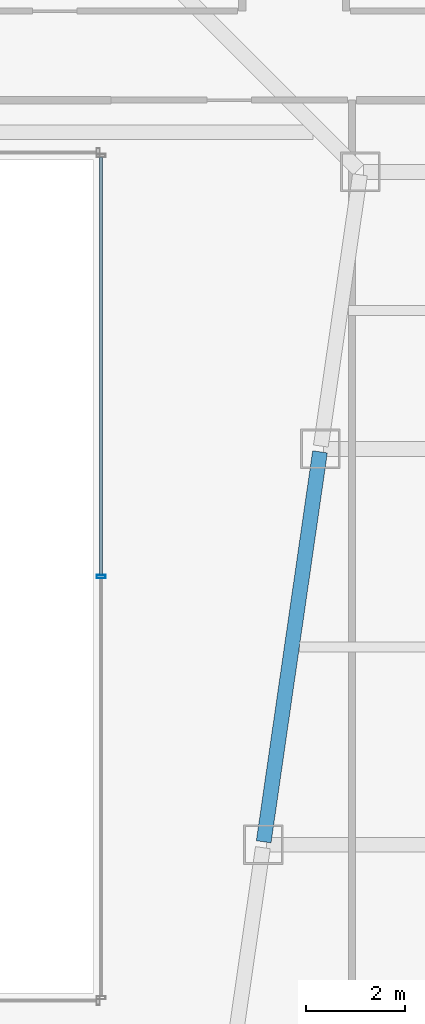
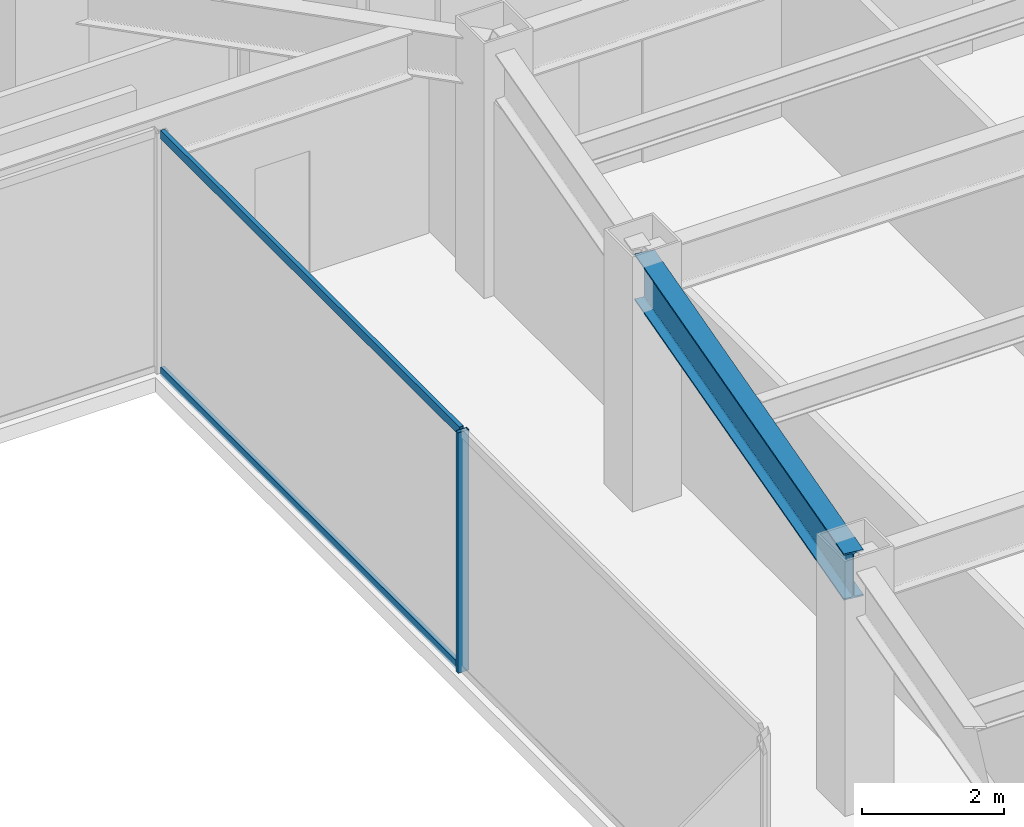
# One storey, part 20 of 47: 3 members, 1 beam, 1 element without a shape of its own.
"""IFC4 building model written with IfcOpenShell, lengths in metres."""

from ifc_helpers import new_model, si_unit, direction, frame, origin, origin_2d, place, context, subcontext, project, spatial, hollow_rectangle, i_section, extrude, material, material_profile, profile_set, type_object, element, aggregate, save


model = new_model("IFC4")

# Units and contexts
model_context = context("Model", 3, precision=1e-05, world=origin(), true_north=direction((0.0, 1.0)))
body_context = subcontext(model_context, "Body", "Model", "MODEL_VIEW")
ifc_project = project(units=[si_unit("LENGTHUNIT", "METRE"), si_unit("AREAUNIT", "SQUARE_METRE"), si_unit("VOLUMEUNIT", "CUBIC_METRE"), si_unit("PLANEANGLEUNIT", "RADIAN"), si_unit("MASSUNIT", "GRAM", prefix="KILO")], contexts=[model_context])

# Site, building, storey
site_placement = place(None, origin())
site = spatial("IfcSite", under=ifc_project, at=site_placement, CompositionType="ELEMENT")
building_placement = place(site_placement, origin())
building = spatial("IfcBuilding", under=site, at=building_placement, Name="Saevonmaru Cultural Tower", CompositionType="ELEMENT")
storey_placement = place(building_placement, frame((0.0, 0.0, 69.199951171875)))
storey = spatial("IfcBuildingStorey", under=building, at=storey_placement, Name="L14", CompositionType="ELEMENT", Elevation=69.199951171875)

# Beam
ifc_material_1 = material(Name="Steel SM420", Category="steel")
ifc_material_profile_1 = material_profile(ifc_material_1, i_section(OverallWidth=0.300048828125, OverallDepth=0.800048828125, WebThickness=0.013916015625, FlangeThickness=0.02587890625, FilletRadius=0.028076171875, at=origin_2d()), Name="H-800x300x14x26")
ifc_profile_set_1 = profile_set([ifc_material_profile_1], Name="Steel SM420")
beam_type = type_object("IfcBeamType", Name="BM-G-H800", PredefinedType="BEAM", material=ifc_profile_set_1)
beam_placement = place(storey_placement, frame((39.236572265625, 24.059326171875, 3.75), z_axis=(0.142902032203, 0.989736838353, 0.0), x_axis=(-0.989736838353, 0.142902032203, 0.0)))
element("IfcBeam", 1, at=beam_placement, inside=storey, type_object=beam_type, Name="L14 East Atrium Girder 4", PredefinedType="BEAM", context=body_context, shape_type="SweptSolid", body=[
    extrude(i_section(OverallWidth=0.300048828125, OverallDepth=0.800048828125, WebThickness=0.013916015625, FlangeThickness=0.02587890625, FilletRadius=0.028076171875, at=origin_2d()), origin(), (0.0, 0.0, 1.0), 7.963134765625),
])

# Curtain wall, members
ifc_material_2 = material(Name="Satin Bronze Anodised Aluminium", Category="aluminium")
curtain_wall_type = type_object("IfcCurtainWallType", Name="CW-ATR-GLZ", PredefinedType="NOTDEFINED", material=ifc_material_2)
curtain_wall_placement = place(storey_placement, origin())
curtain_wall = element("IfcCurtainWall", 2, at=curtain_wall_placement, inside=storey, type_object=curtain_wall_type, Name="L14 Vertical Atrium Glazed Smoke Screen 2", PredefinedType="NOTDEFINED")
ifc_material_profile_2 = material_profile(ifc_material_2, hollow_rectangle(XDim=0.06494140625, YDim=0.179931640625, WallThickness=0.00390625, at=origin_2d()), Name="ALU-MULL-180x65x4")
ifc_profile_set_2 = profile_set([ifc_material_profile_2], Name="Satin Bronze Anodised Aluminium")
member_type_1 = type_object("IfcMemberType", Name="ML-CW-INT-180x65", PredefinedType="MULLION", material=ifc_profile_set_2)
member_1_placement = place(storey_placement, frame((35.949951171875, 29.419921875, 0.0), z_axis=(0.0, 0.0, 1.0), x_axis=(0.0, 1.0, 0.0)))
member_1 = element("IfcMember", 3, at=member_1_placement, type_object=member_type_1, Name="CW-ATR-L14-2 mullion 2", PredefinedType="MULLION", context=body_context, shape_type="SweptSolid", body=[
    extrude(hollow_rectangle(XDim=0.06494140625, YDim=0.179931640625, WallThickness=0.00390625, at=origin_2d()), origin(), (0.0, 0.0, 1.0), 4.150146484375),
])
ifc_material_profile_3 = material_profile(ifc_material_2, hollow_rectangle(XDim=0.06494140625, YDim=0.14990234375, WallThickness=0.00390625, at=origin_2d()), Name="ALU-TRAN-150x65x4")
ifc_profile_set_3 = profile_set([ifc_material_profile_3], Name="Satin Bronze Anodised Aluminium")
member_type_2 = type_object("IfcMemberType", Name="TR-CW-INT-150x65", PredefinedType="USERDEFINED", material=ifc_profile_set_3)
member_2_placement = place(storey_placement, frame((35.949951171875, 29.452392578125, 0.032470703125), z_axis=(0.0, 1.0, 0.0), x_axis=(-1.0, 0.0, 0.0)))
member_2 = element("IfcMember", 4, at=member_2_placement, type_object=member_type_2, Name="CW-ATR-L14-2 transom 2.1", ObjectType="TRANSOM", PredefinedType="USERDEFINED", context=body_context, shape_type="SweptSolid", body=[
    extrude(hollow_rectangle(XDim=0.06494140625, YDim=0.14990234375, WallThickness=0.00390625, at=origin_2d()), origin(), (0.0, 0.0, 1.0), 8.445068359375),
])
member_3_placement = place(storey_placement, frame((35.949951171875, 29.452392578125, 4.117431640625), z_axis=(0.0, 1.0, 0.0), x_axis=(-1.0, 0.0, 0.0)))
member_3 = element("IfcMember", 5, at=member_3_placement, type_object=member_type_2, Name="CW-ATR-L14-2 transom 2.2", ObjectType="TRANSOM", PredefinedType="USERDEFINED", context=body_context, shape_type="SweptSolid", body=[
    extrude(hollow_rectangle(XDim=0.06494140625, YDim=0.14990234375, WallThickness=0.00390625, at=origin_2d()), origin(), (0.0, 0.0, 1.0), 8.445068359375),
])
aggregate(curtain_wall, [member_1, member_2, member_3])

save(model, "model.ifc")
